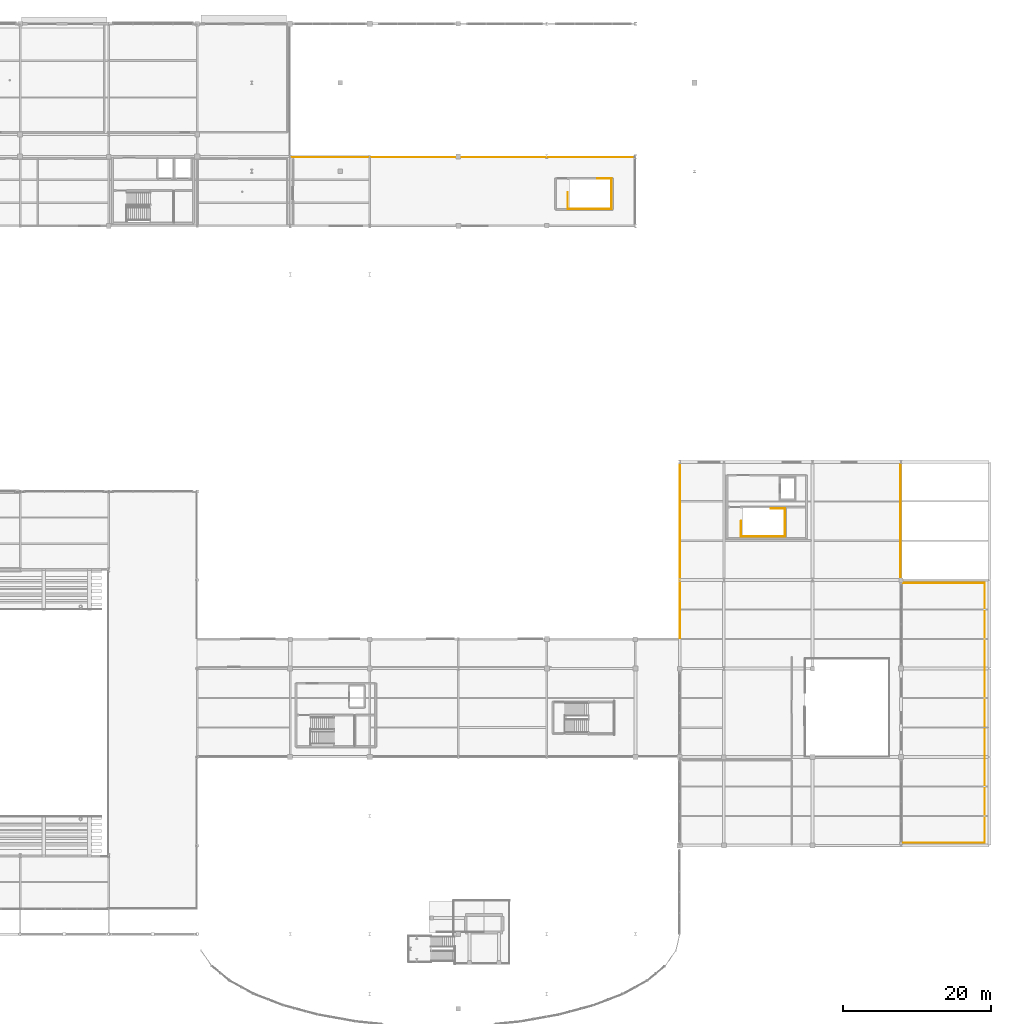
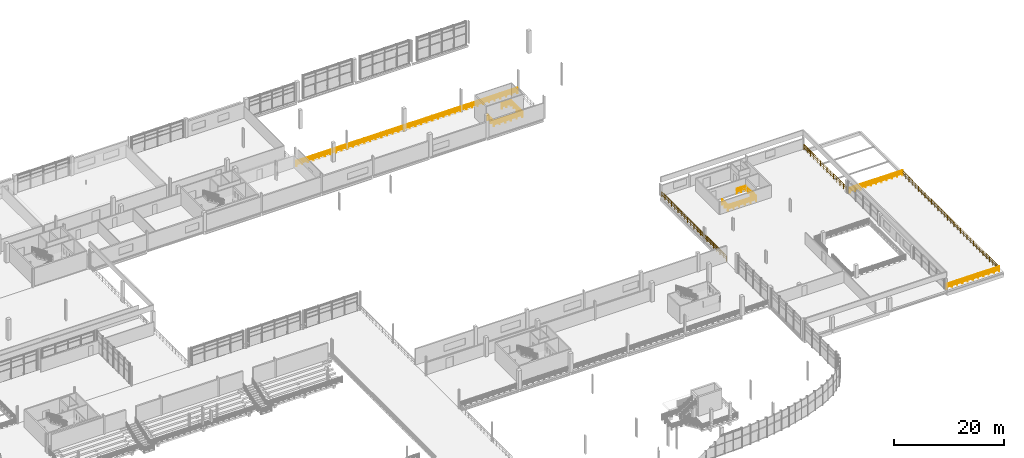
# One storey, part 87 of 89: 14 railings.
"""IFC4 building model written with IfcOpenShell, lengths in metres."""

from ifc_helpers import new_model, si_unit, direction, frame, origin, origin_2d, place, context, subcontext, project, spatial, circle, extrude, material, layer, layer_set, type_object, element, save


model = new_model("IFC4")

# Units and contexts
model_context = context("Model", 3, precision=1e-05, world=origin(), true_north=direction((0.0, 1.0)))
body_context = subcontext(model_context, "Body", "Model", "MODEL_VIEW")
ifc_project = project(units=[si_unit("LENGTHUNIT", "METRE"), si_unit("AREAUNIT", "SQUARE_METRE"), si_unit("VOLUMEUNIT", "CUBIC_METRE"), si_unit("PLANEANGLEUNIT", "RADIAN"), si_unit("MASSUNIT", "GRAM", prefix="KILO"), si_unit("THERMODYNAMICTEMPERATUREUNIT", "KELVIN"), si_unit("POWERUNIT", "WATT")], contexts=[model_context])

# Site, building, storey
site_placement = place(None, origin())
site = spatial("IfcSite", under=ifc_project, at=site_placement, CompositionType="ELEMENT")
building_placement = place(site_placement, origin())
building = spatial("IfcBuilding", under=site, at=building_placement, Name="Solmara Park Aquatics Centre", CompositionType="ELEMENT")
storey_placement = place(building_placement, frame((0.0, 0.0, 5.39990234375)))
storey = spatial("IfcBuildingStorey", under=building, at=storey_placement, Name="L01", CompositionType="ELEMENT", Elevation=5.39990234375)

# Railings
ifc_material_1 = material(Name="Laminated Safety Glass and Stainless Steel Guardrail", Category="steel")
ifc_layer_1 = layer(ifc_material_1, 0.06005859375, Name="Laminated Safety Glass and Stainless Steel Guardrail")
ifc_layer_set_1 = layer_set([ifc_layer_1], Name="Laminated Safety Glass and Stainless Steel Guardrail")
railing_type_1 = type_object("IfcRailingType", Name="ARC-RL-BAL110", PredefinedType="GUARDRAIL", material=ifc_layer_set_1)
railing_1_placement = place(storey_placement, frame((203.35009765625, 25.0, 0.0)))
element("IfcRailing", 1, at=railing_1_placement, inside=storey, type_object=railing_type_1, Name="Cafe Terrace Guardrail RL-TER-L01-E", PredefinedType="GUARDRAIL", context=body_context, shape_type="SweptSolid", body=[
    extrude(circle(Radius=0.02392578125, at=origin_2d()), frame((0.0, 0.0, 1.15576171875), z_axis=(0.0, 1.0, 0.0), x_axis=(-1.0, 0.0, 0.0)), (0.0, 0.0, 1.0), 35.199951171875),
    extrude(circle(Radius=0.01416015625, at=origin_2d()), frame((0.0, 0.0, 0.4130859375), z_axis=(0.0, 1.0, 0.0), x_axis=(-1.0, 0.0, 0.0)), (0.0, 0.0, 1.0), 35.199951171875),
    extrude(circle(Radius=0.01416015625, at=origin_2d()), frame((0.0, 0.0, 0.80224609375), z_axis=(0.0, 1.0, 0.0), x_axis=(-1.0, 0.0, 0.0)), (0.0, 0.0, 1.0), 35.199951171875),
    extrude(circle(Radius=0.02099609375, at=origin_2d()), origin(), (0.0, 0.0, 1.0), 1.1318359375),
    extrude(circle(Radius=0.02099609375, at=origin_2d()), frame((0.0, 1.17333984375, 0.0)), (0.0, 0.0, 1.0), 1.1318359375),
    extrude(circle(Radius=0.02099609375, at=origin_2d()), frame((0.0, 2.3466796875, 0.0)), (0.0, 0.0, 1.0), 1.1318359375),
    extrude(circle(Radius=0.02099609375, at=origin_2d()), frame((0.0, 3.52001953125, 0.0)), (0.0, 0.0, 1.0), 1.1318359375),
    extrude(circle(Radius=0.02099609375, at=origin_2d()), frame((0.0, 4.693359375, 0.0)), (0.0, 0.0, 1.0), 1.1318359375),
    extrude(circle(Radius=0.02099609375, at=origin_2d()), frame((0.0, 5.86669921875, 0.0)), (0.0, 0.0, 1.0), 1.1318359375),
    extrude(circle(Radius=0.02099609375, at=origin_2d()), frame((0.0, 7.0400390625, 0.0)), (0.0, 0.0, 1.0), 1.1318359375),
    extrude(circle(Radius=0.02099609375, at=origin_2d()), frame((0.0, 8.21337890625, 0.0)), (0.0, 0.0, 1.0), 1.1318359375),
    extrude(circle(Radius=0.02099609375, at=origin_2d()), frame((0.0, 9.38671875, 0.0)), (0.0, 0.0, 1.0), 1.1318359375),
    extrude(circle(Radius=0.02099609375, at=origin_2d()), frame((0.0, 10.56005859375, 0.0)), (0.0, 0.0, 1.0), 1.1318359375),
    extrude(circle(Radius=0.02099609375, at=origin_2d()), frame((0.0, 11.7333984375, 0.0)), (0.0, 0.0, 1.0), 1.1318359375),
    extrude(circle(Radius=0.02099609375, at=origin_2d()), frame((0.0, 12.90673828125, 0.0)), (0.0, 0.0, 1.0), 1.1318359375),
    extrude(circle(Radius=0.02099609375, at=origin_2d()), frame((0.0, 14.080078125, 0.0)), (0.0, 0.0, 1.0), 1.1318359375),
    extrude(circle(Radius=0.02099609375, at=origin_2d()), frame((0.0, 15.25341796875, 0.0)), (0.0, 0.0, 1.0), 1.1318359375),
    extrude(circle(Radius=0.02099609375, at=origin_2d()), frame((0.0, 16.4267578125, 0.0)), (0.0, 0.0, 1.0), 1.1318359375),
    extrude(circle(Radius=0.02099609375, at=origin_2d()), frame((0.0, 17.60009765625, 0.0)), (0.0, 0.0, 1.0), 1.1318359375),
    extrude(circle(Radius=0.02099609375, at=origin_2d()), frame((0.0, 18.773193359375, 0.0)), (0.0, 0.0, 1.0), 1.1318359375),
    extrude(circle(Radius=0.02099609375, at=origin_2d()), frame((0.0, 19.946533203125, 0.0)), (0.0, 0.0, 1.0), 1.1318359375),
    extrude(circle(Radius=0.02099609375, at=origin_2d()), frame((0.0, 21.119873046875, 0.0)), (0.0, 0.0, 1.0), 1.1318359375),
    extrude(circle(Radius=0.02099609375, at=origin_2d()), frame((0.0, 22.293212890625, 0.0)), (0.0, 0.0, 1.0), 1.1318359375),
    extrude(circle(Radius=0.02099609375, at=origin_2d()), frame((0.0, 23.466552734375, 0.0)), (0.0, 0.0, 1.0), 1.1318359375),
    extrude(circle(Radius=0.02099609375, at=origin_2d()), frame((0.0, 24.639892578125, 0.0)), (0.0, 0.0, 1.0), 1.1318359375),
    extrude(circle(Radius=0.02099609375, at=origin_2d()), frame((0.0, 25.813232421875, 0.0)), (0.0, 0.0, 1.0), 1.1318359375),
    extrude(circle(Radius=0.02099609375, at=origin_2d()), frame((0.0, 26.986572265625, 0.0)), (0.0, 0.0, 1.0), 1.1318359375),
    extrude(circle(Radius=0.02099609375, at=origin_2d()), frame((0.0, 28.159912109375, 0.0)), (0.0, 0.0, 1.0), 1.1318359375),
    extrude(circle(Radius=0.02099609375, at=origin_2d()), frame((0.0, 29.333251953125, 0.0)), (0.0, 0.0, 1.0), 1.1318359375),
    extrude(circle(Radius=0.02099609375, at=origin_2d()), frame((0.0, 30.506591796875, 0.0)), (0.0, 0.0, 1.0), 1.1318359375),
    extrude(circle(Radius=0.02099609375, at=origin_2d()), frame((0.0, 31.679931640625, 0.0)), (0.0, 0.0, 1.0), 1.1318359375),
    extrude(circle(Radius=0.02099609375, at=origin_2d()), frame((0.0, 32.853271484375, 0.0)), (0.0, 0.0, 1.0), 1.1318359375),
    extrude(circle(Radius=0.02099609375, at=origin_2d()), frame((0.0, 34.026611328125, 0.0)), (0.0, 0.0, 1.0), 1.1318359375),
    extrude(circle(Radius=0.02099609375, at=origin_2d()), frame((0.0, 35.199951171875, 0.0)), (0.0, 0.0, 1.0), 1.1318359375),
])
railing_2_placement = place(storey_placement, frame((192.35009765625, 25.0, 0.0)))
element("IfcRailing", 2, at=railing_2_placement, inside=storey, type_object=railing_type_1, Name="Cafe Terrace Guardrail RL-TER-L01-S", PredefinedType="GUARDRAIL", context=body_context, shape_type="SweptSolid", body=[
    extrude(circle(Radius=0.02392578125, at=origin_2d()), frame((0.0, 0.0, 1.15576171875), z_axis=(1.0, 0.0, 0.0), x_axis=(0.0, 1.0, 0.0)), (0.0, 0.0, 1.0), 11.0),
    extrude(circle(Radius=0.01416015625, at=origin_2d()), frame((0.0, 0.0, 0.4130859375), z_axis=(1.0, 0.0, 0.0), x_axis=(0.0, 1.0, 0.0)), (0.0, 0.0, 1.0), 11.0),
    extrude(circle(Radius=0.01416015625, at=origin_2d()), frame((0.0, 0.0, 0.80224609375), z_axis=(1.0, 0.0, 0.0), x_axis=(0.0, 1.0, 0.0)), (0.0, 0.0, 1.0), 11.0),
    extrude(circle(Radius=0.02099609375, at=origin_2d()), origin(), (0.0, 0.0, 1.0), 1.1318359375),
    extrude(circle(Radius=0.02099609375, at=origin_2d()), frame((1.10009765625, 0.0, 0.0)), (0.0, 0.0, 1.0), 1.1318359375),
    extrude(circle(Radius=0.02099609375, at=origin_2d()), frame((2.199951171875, 0.0, 0.0)), (0.0, 0.0, 1.0), 1.1318359375),
    extrude(circle(Radius=0.02099609375, at=origin_2d()), frame((3.300048828125, 0.0, 0.0)), (0.0, 0.0, 1.0), 1.1318359375),
    extrude(circle(Radius=0.02099609375, at=origin_2d()), frame((4.39990234375, 0.0, 0.0)), (0.0, 0.0, 1.0), 1.1318359375),
    extrude(circle(Radius=0.02099609375, at=origin_2d()), frame((5.5, 0.0, 0.0)), (0.0, 0.0, 1.0), 1.1318359375),
    extrude(circle(Radius=0.02099609375, at=origin_2d()), frame((6.60009765625, 0.0, 0.0)), (0.0, 0.0, 1.0), 1.1318359375),
    extrude(circle(Radius=0.02099609375, at=origin_2d()), frame((7.699951171875, 0.0, 0.0)), (0.0, 0.0, 1.0), 1.1318359375),
    extrude(circle(Radius=0.02099609375, at=origin_2d()), frame((8.800048828125, 0.0, 0.0)), (0.0, 0.0, 1.0), 1.1318359375),
    extrude(circle(Radius=0.02099609375, at=origin_2d()), frame((9.89990234375, 0.0, 0.0)), (0.0, 0.0, 1.0), 1.1318359375),
    extrude(circle(Radius=0.02099609375, at=origin_2d()), frame((11.0, 0.0, 0.0)), (0.0, 0.0, 1.0), 1.1318359375),
])
railing_3_placement = place(storey_placement, frame((192.35009765625, 60.199951171875, 0.0)))
element("IfcRailing", 3, at=railing_3_placement, inside=storey, type_object=railing_type_1, Name="Cafe Terrace Guardrail RL-TER-L01-N", PredefinedType="GUARDRAIL", context=body_context, shape_type="SweptSolid", body=[
    extrude(circle(Radius=0.02392578125, at=origin_2d()), frame((0.0, 0.0, 1.15576171875), z_axis=(1.0, 0.0, 0.0), x_axis=(0.0, 1.0, 0.0)), (0.0, 0.0, 1.0), 11.0),
    extrude(circle(Radius=0.01416015625, at=origin_2d()), frame((0.0, 0.0, 0.4130859375), z_axis=(1.0, 0.0, 0.0), x_axis=(0.0, 1.0, 0.0)), (0.0, 0.0, 1.0), 11.0),
    extrude(circle(Radius=0.01416015625, at=origin_2d()), frame((0.0, 0.0, 0.80224609375), z_axis=(1.0, 0.0, 0.0), x_axis=(0.0, 1.0, 0.0)), (0.0, 0.0, 1.0), 11.0),
    extrude(circle(Radius=0.02099609375, at=origin_2d()), origin(), (0.0, 0.0, 1.0), 1.1318359375),
    extrude(circle(Radius=0.02099609375, at=origin_2d()), frame((1.10009765625, 0.0, 0.0)), (0.0, 0.0, 1.0), 1.1318359375),
    extrude(circle(Radius=0.02099609375, at=origin_2d()), frame((2.199951171875, 0.0, 0.0)), (0.0, 0.0, 1.0), 1.1318359375),
    extrude(circle(Radius=0.02099609375, at=origin_2d()), frame((3.300048828125, 0.0, 0.0)), (0.0, 0.0, 1.0), 1.1318359375),
    extrude(circle(Radius=0.02099609375, at=origin_2d()), frame((4.39990234375, 0.0, 0.0)), (0.0, 0.0, 1.0), 1.1318359375),
    extrude(circle(Radius=0.02099609375, at=origin_2d()), frame((5.5, 0.0, 0.0)), (0.0, 0.0, 1.0), 1.1318359375),
    extrude(circle(Radius=0.02099609375, at=origin_2d()), frame((6.60009765625, 0.0, 0.0)), (0.0, 0.0, 1.0), 1.1318359375),
    extrude(circle(Radius=0.02099609375, at=origin_2d()), frame((7.699951171875, 0.0, 0.0)), (0.0, 0.0, 1.0), 1.1318359375),
    extrude(circle(Radius=0.02099609375, at=origin_2d()), frame((8.800048828125, 0.0, 0.0)), (0.0, 0.0, 1.0), 1.1318359375),
    extrude(circle(Radius=0.02099609375, at=origin_2d()), frame((9.89990234375, 0.0, 0.0)), (0.0, 0.0, 1.0), 1.1318359375),
    extrude(circle(Radius=0.02099609375, at=origin_2d()), frame((11.0, 0.0, 0.0)), (0.0, 0.0, 1.0), 1.1318359375),
])
ifc_material_2 = material(Name="Toughened Glass and Stainless Steel Stand Guardrail", Category="steel")
ifc_layer_2 = layer(ifc_material_2, 0.06005859375, Name="Toughened Glass and Stainless Steel Stand Guardrail")
ifc_layer_set_2 = layer_set([ifc_layer_2], Name="Toughened Glass and Stainless Steel Stand Guardrail")
railing_type_2 = type_object("IfcRailingType", Name="ARC-RL-STD110", PredefinedType="GUARDRAIL", material=ifc_layer_set_2)
railing_4_placement = place(storey_placement, frame((109.39990234375, 117.89990234375, 0.0)))
element("IfcRailing", 4, at=railing_4_placement, inside=storey, type_object=railing_type_2, Name="Atrium & Gallery Void Guardrail 23", PredefinedType="GUARDRAIL", context=body_context, shape_type="SweptSolid", body=[
    extrude(circle(Radius=0.02392578125, at=origin_2d()), frame((0.0, 0.0, 1.15576171875), z_axis=(1.0, 0.0, 0.0), x_axis=(0.0, 1.0, 0.0)), (0.0, 0.0, 1.0), 46.400146484375),
    extrude(circle(Radius=0.01416015625, at=origin_2d()), frame((0.0, 0.0, 0.4130859375), z_axis=(1.0, 0.0, 0.0), x_axis=(0.0, 1.0, 0.0)), (0.0, 0.0, 1.0), 46.400146484375),
    extrude(circle(Radius=0.01416015625, at=origin_2d()), frame((0.0, 0.0, 0.80224609375), z_axis=(1.0, 0.0, 0.0), x_axis=(0.0, 1.0, 0.0)), (0.0, 0.0, 1.0), 46.400146484375),
    extrude(circle(Radius=0.02099609375, at=origin_2d()), origin(), (0.0, 0.0, 1.0), 1.1318359375),
    extrude(circle(Radius=0.02099609375, at=origin_2d()), frame((1.189697265625, 0.0, 0.0)), (0.0, 0.0, 1.0), 1.1318359375),
    extrude(circle(Radius=0.02099609375, at=origin_2d()), frame((2.37939453125, 0.0, 0.0)), (0.0, 0.0, 1.0), 1.1318359375),
    extrude(circle(Radius=0.02099609375, at=origin_2d()), frame((3.5693359375, 0.0, 0.0)), (0.0, 0.0, 1.0), 1.1318359375),
    extrude(circle(Radius=0.02099609375, at=origin_2d()), frame((4.759033203125, 0.0, 0.0)), (0.0, 0.0, 1.0), 1.1318359375),
    extrude(circle(Radius=0.02099609375, at=origin_2d()), frame((5.94873046875, 0.0, 0.0)), (0.0, 0.0, 1.0), 1.1318359375),
    extrude(circle(Radius=0.02099609375, at=origin_2d()), frame((7.138427734375, 0.0, 0.0)), (0.0, 0.0, 1.0), 1.1318359375),
    extrude(circle(Radius=0.02099609375, at=origin_2d()), frame((8.328125, 0.0, 0.0)), (0.0, 0.0, 1.0), 1.1318359375),
    extrude(circle(Radius=0.02099609375, at=origin_2d()), frame((9.51806640625, 0.0, 0.0)), (0.0, 0.0, 1.0), 1.1318359375),
    extrude(circle(Radius=0.02099609375, at=origin_2d()), frame((10.707763671875, 0.0, 0.0)), (0.0, 0.0, 1.0), 1.1318359375),
    extrude(circle(Radius=0.02099609375, at=origin_2d()), frame((11.8974609375, 0.0, 0.0)), (0.0, 0.0, 1.0), 1.1318359375),
    extrude(circle(Radius=0.02099609375, at=origin_2d()), frame((13.087158203125, 0.0, 0.0)), (0.0, 0.0, 1.0), 1.1318359375),
    extrude(circle(Radius=0.02099609375, at=origin_2d()), frame((14.27685546875, 0.0, 0.0)), (0.0, 0.0, 1.0), 1.1318359375),
    extrude(circle(Radius=0.02099609375, at=origin_2d()), frame((15.466796875, 0.0, 0.0)), (0.0, 0.0, 1.0), 1.1318359375),
    extrude(circle(Radius=0.02099609375, at=origin_2d()), frame((16.656494140625, 0.0, 0.0)), (0.0, 0.0, 1.0), 1.1318359375),
    extrude(circle(Radius=0.02099609375, at=origin_2d()), frame((17.84619140625, 0.0, 0.0)), (0.0, 0.0, 1.0), 1.1318359375),
    extrude(circle(Radius=0.02099609375, at=origin_2d()), frame((19.035888671875, 0.0, 0.0)), (0.0, 0.0, 1.0), 1.1318359375),
    extrude(circle(Radius=0.02099609375, at=origin_2d()), frame((20.2255859375, 0.0, 0.0)), (0.0, 0.0, 1.0), 1.1318359375),
    extrude(circle(Radius=0.02099609375, at=origin_2d()), frame((21.41552734375, 0.0, 0.0)), (0.0, 0.0, 1.0), 1.1318359375),
    extrude(circle(Radius=0.02099609375, at=origin_2d()), frame((22.605224609375, 0.0, 0.0)), (0.0, 0.0, 1.0), 1.1318359375),
    extrude(circle(Radius=0.02099609375, at=origin_2d()), frame((23.794921875, 0.0, 0.0)), (0.0, 0.0, 1.0), 1.1318359375),
    extrude(circle(Radius=0.02099609375, at=origin_2d()), frame((24.984619140625, 0.0, 0.0)), (0.0, 0.0, 1.0), 1.1318359375),
    extrude(circle(Radius=0.02099609375, at=origin_2d()), frame((26.174560546875, 0.0, 0.0)), (0.0, 0.0, 1.0), 1.1318359375),
    extrude(circle(Radius=0.02099609375, at=origin_2d()), frame((27.3642578125, 0.0, 0.0)), (0.0, 0.0, 1.0), 1.1318359375),
    extrude(circle(Radius=0.02099609375, at=origin_2d()), frame((28.553955078125, 0.0, 0.0)), (0.0, 0.0, 1.0), 1.1318359375),
    extrude(circle(Radius=0.02099609375, at=origin_2d()), frame((29.74365234375, 0.0, 0.0)), (0.0, 0.0, 1.0), 1.1318359375),
    extrude(circle(Radius=0.02099609375, at=origin_2d()), frame((30.933349609375, 0.0, 0.0)), (0.0, 0.0, 1.0), 1.1318359375),
    extrude(circle(Radius=0.02099609375, at=origin_2d()), frame((32.123291015625, 0.0, 0.0)), (0.0, 0.0, 1.0), 1.1318359375),
    extrude(circle(Radius=0.02099609375, at=origin_2d()), frame((33.31298828125, 0.0, 0.0)), (0.0, 0.0, 1.0), 1.1318359375),
    extrude(circle(Radius=0.02099609375, at=origin_2d()), frame((34.502685546875, 0.0, 0.0)), (0.0, 0.0, 1.0), 1.1318359375),
    extrude(circle(Radius=0.02099609375, at=origin_2d()), frame((35.6923828125, 0.0, 0.0)), (0.0, 0.0, 1.0), 1.1318359375),
    extrude(circle(Radius=0.02099609375, at=origin_2d()), frame((36.882080078125, 0.0, 0.0)), (0.0, 0.0, 1.0), 1.1318359375),
    extrude(circle(Radius=0.02099609375, at=origin_2d()), frame((38.072021484375, 0.0, 0.0)), (0.0, 0.0, 1.0), 1.1318359375),
    extrude(circle(Radius=0.02099609375, at=origin_2d()), frame((39.26171875, 0.0, 0.0)), (0.0, 0.0, 1.0), 1.1318359375),
    extrude(circle(Radius=0.02099609375, at=origin_2d()), frame((40.451416015625, 0.0, 0.0)), (0.0, 0.0, 1.0), 1.1318359375),
    extrude(circle(Radius=0.02099609375, at=origin_2d()), frame((41.64111328125, 0.0, 0.0)), (0.0, 0.0, 1.0), 1.1318359375),
    extrude(circle(Radius=0.02099609375, at=origin_2d()), frame((42.830810546875, 0.0, 0.0)), (0.0, 0.0, 1.0), 1.1318359375),
    extrude(circle(Radius=0.02099609375, at=origin_2d()), frame((44.020751953125, 0.0, 0.0)), (0.0, 0.0, 1.0), 1.1318359375),
    extrude(circle(Radius=0.02099609375, at=origin_2d()), frame((45.21044921875, 0.0, 0.0)), (0.0, 0.0, 1.0), 1.1318359375),
    extrude(circle(Radius=0.02099609375, at=origin_2d()), frame((46.400146484375, 0.0, 0.0)), (0.0, 0.0, 1.0), 1.1318359375),
])
railing_5_placement = place(storey_placement, frame((162.06005859375, 52.726318359375, 0.0)))
element("IfcRailing", 5, at=railing_5_placement, inside=storey, type_object=railing_type_2, Name="L01 Slab Edge Guardrail 049", PredefinedType="GUARDRAIL", context=body_context, shape_type="SweptSolid", body=[
    extrude(circle(Radius=0.02392578125, at=origin_2d()), frame((0.0, 0.0, 1.15576171875), z_axis=(0.0, 1.0, 0.0), x_axis=(-1.0, 0.0, 0.0)), (0.0, 0.0, 1.0), 23.523681640625),
    extrude(circle(Radius=0.01416015625, at=origin_2d()), frame((0.0, 0.0, 0.4130859375), z_axis=(0.0, 1.0, 0.0), x_axis=(-1.0, 0.0, 0.0)), (0.0, 0.0, 1.0), 23.523681640625),
    extrude(circle(Radius=0.01416015625, at=origin_2d()), frame((0.0, 0.0, 0.80224609375), z_axis=(0.0, 1.0, 0.0), x_axis=(-1.0, 0.0, 0.0)), (0.0, 0.0, 1.0), 23.523681640625),
    extrude(circle(Radius=0.02099609375, at=origin_2d()), origin(), (0.0, 0.0, 1.0), 1.1318359375),
    extrude(circle(Radius=0.02099609375, at=origin_2d()), frame((0.0, 1.17626953125, 0.0)), (0.0, 0.0, 1.0), 1.1318359375),
    extrude(circle(Radius=0.02099609375, at=origin_2d()), frame((0.0, 2.352294921875, 0.0)), (0.0, 0.0, 1.0), 1.1318359375),
    extrude(circle(Radius=0.02099609375, at=origin_2d()), frame((0.0, 3.528564453125, 0.0)), (0.0, 0.0, 1.0), 1.1318359375),
    extrude(circle(Radius=0.02099609375, at=origin_2d()), frame((0.0, 4.704833984375, 0.0)), (0.0, 0.0, 1.0), 1.1318359375),
    extrude(circle(Radius=0.02099609375, at=origin_2d()), frame((0.0, 5.880859375, 0.0)), (0.0, 0.0, 1.0), 1.1318359375),
    extrude(circle(Radius=0.02099609375, at=origin_2d()), frame((0.0, 7.05712890625, 0.0)), (0.0, 0.0, 1.0), 1.1318359375),
    extrude(circle(Radius=0.02099609375, at=origin_2d()), frame((0.0, 8.2333984375, 0.0)), (0.0, 0.0, 1.0), 1.1318359375),
    extrude(circle(Radius=0.02099609375, at=origin_2d()), frame((0.0, 9.409423828125, 0.0)), (0.0, 0.0, 1.0), 1.1318359375),
    extrude(circle(Radius=0.02099609375, at=origin_2d()), frame((0.0, 10.585693359375, 0.0)), (0.0, 0.0, 1.0), 1.1318359375),
    extrude(circle(Radius=0.02099609375, at=origin_2d()), frame((0.0, 11.76171875, 0.0)), (0.0, 0.0, 1.0), 1.1318359375),
    extrude(circle(Radius=0.02099609375, at=origin_2d()), frame((0.0, 12.93798828125, 0.0)), (0.0, 0.0, 1.0), 1.1318359375),
    extrude(circle(Radius=0.02099609375, at=origin_2d()), frame((0.0, 14.1142578125, 0.0)), (0.0, 0.0, 1.0), 1.1318359375),
    extrude(circle(Radius=0.02099609375, at=origin_2d()), frame((0.0, 15.290283203125, 0.0)), (0.0, 0.0, 1.0), 1.1318359375),
    extrude(circle(Radius=0.02099609375, at=origin_2d()), frame((0.0, 16.466552734375, 0.0)), (0.0, 0.0, 1.0), 1.1318359375),
    extrude(circle(Radius=0.02099609375, at=origin_2d()), frame((0.0, 17.642822265625, 0.0)), (0.0, 0.0, 1.0), 1.1318359375),
    extrude(circle(Radius=0.02099609375, at=origin_2d()), frame((0.0, 18.81884765625, 0.0)), (0.0, 0.0, 1.0), 1.1318359375),
    extrude(circle(Radius=0.02099609375, at=origin_2d()), frame((0.0, 19.9951171875, 0.0)), (0.0, 0.0, 1.0), 1.1318359375),
    extrude(circle(Radius=0.02099609375, at=origin_2d()), frame((0.0, 21.17138671875, 0.0)), (0.0, 0.0, 1.0), 1.1318359375),
    extrude(circle(Radius=0.02099609375, at=origin_2d()), frame((0.0, 22.347412109375, 0.0)), (0.0, 0.0, 1.0), 1.1318359375),
    extrude(circle(Radius=0.02099609375, at=origin_2d()), frame((0.0, 23.523681640625, 0.0)), (0.0, 0.0, 1.0), 1.1318359375),
])
railing_6_placement = place(storey_placement, frame((191.93994140625, 76.25, 0.0)))
element("IfcRailing", 6, at=railing_6_placement, inside=storey, type_object=railing_type_2, Name="L01 Slab Edge Guardrail 050", PredefinedType="GUARDRAIL", context=body_context, shape_type="SweptSolid", body=[
    extrude(circle(Radius=0.02392578125, at=origin_2d()), frame((0.0, 0.0, 1.15576171875), z_axis=(0.0, -1.0, 0.0), x_axis=(1.0, 0.0, 0.0)), (0.0, 0.0, 1.0), 15.523681640625),
    extrude(circle(Radius=0.01416015625, at=origin_2d()), frame((0.0, 0.0, 0.4130859375), z_axis=(0.0, -1.0, 0.0), x_axis=(1.0, 0.0, 0.0)), (0.0, 0.0, 1.0), 15.523681640625),
    extrude(circle(Radius=0.01416015625, at=origin_2d()), frame((0.0, 0.0, 0.80224609375), z_axis=(0.0, -1.0, 0.0), x_axis=(1.0, 0.0, 0.0)), (0.0, 0.0, 1.0), 15.523681640625),
    extrude(circle(Radius=0.02099609375, at=origin_2d()), origin(), (0.0, 0.0, 1.0), 1.1318359375),
    extrude(circle(Radius=0.02099609375, at=origin_2d()), frame((0.0, -1.194091796875, 0.0)), (0.0, 0.0, 1.0), 1.1318359375),
    extrude(circle(Radius=0.02099609375, at=origin_2d()), frame((0.0, -2.38818359375, 0.0)), (0.0, 0.0, 1.0), 1.1318359375),
    extrude(circle(Radius=0.02099609375, at=origin_2d()), frame((0.0, -3.582275390625, 0.0)), (0.0, 0.0, 1.0), 1.1318359375),
    extrude(circle(Radius=0.02099609375, at=origin_2d()), frame((0.0, -4.776611328125, 0.0)), (0.0, 0.0, 1.0), 1.1318359375),
    extrude(circle(Radius=0.02099609375, at=origin_2d()), frame((0.0, -5.970703125, 0.0)), (0.0, 0.0, 1.0), 1.1318359375),
    extrude(circle(Radius=0.02099609375, at=origin_2d()), frame((0.0, -7.164794921875, 0.0)), (0.0, 0.0, 1.0), 1.1318359375),
    extrude(circle(Radius=0.02099609375, at=origin_2d()), frame((0.0, -8.35888671875, 0.0)), (0.0, 0.0, 1.0), 1.1318359375),
    extrude(circle(Radius=0.02099609375, at=origin_2d()), frame((0.0, -9.552978515625, 0.0)), (0.0, 0.0, 1.0), 1.1318359375),
    extrude(circle(Radius=0.02099609375, at=origin_2d()), frame((0.0, -10.7470703125, 0.0)), (0.0, 0.0, 1.0), 1.1318359375),
    extrude(circle(Radius=0.02099609375, at=origin_2d()), frame((0.0, -11.94140625, 0.0)), (0.0, 0.0, 1.0), 1.1318359375),
    extrude(circle(Radius=0.02099609375, at=origin_2d()), frame((0.0, -13.135498046875, 0.0)), (0.0, 0.0, 1.0), 1.1318359375),
    extrude(circle(Radius=0.02099609375, at=origin_2d()), frame((0.0, -14.32958984375, 0.0)), (0.0, 0.0, 1.0), 1.1318359375),
    extrude(circle(Radius=0.02099609375, at=origin_2d()), frame((0.0, -15.523681640625, 0.0)), (0.0, 0.0, 1.0), 1.1318359375),
])
ifc_material_3 = material(Name="Brushed Stainless Steel Guardrail", Category="steel")
ifc_layer_3 = layer(ifc_material_3, 0.050048828125, Name="Brushed Stainless Steel Guardrail")
ifc_layer_set_3 = layer_set([ifc_layer_3], Name="Brushed Stainless Steel Guardrail")
railing_type_3 = type_object("IfcRailingType", Name="ARC-RL-STR110", PredefinedType="GUARDRAIL", material=ifc_layer_set_3)
railing_7_placement = place(storey_placement, frame((170.330078125, 66.469970703125, 0.0)))
element("IfcRailing", 7, at=railing_7_placement, inside=storey, type_object=railing_type_3, Name="ST-05 Protected Exit Stair (L00 to L01) Arrival Well Guardrail", PredefinedType="GUARDRAIL", context=body_context, shape_type="SweptSolid", body=[
    extrude(circle(Radius=0.02392578125, at=origin_2d()), frame((0.0, 0.0, 1.15576171875), z_axis=(0.0, 1.0, 0.0), x_axis=(-1.0, 0.0, 0.0)), (0.0, 0.0, 1.0), 2.1201171875),
    extrude(circle(Radius=0.01416015625, at=origin_2d()), frame((0.0, 0.0, 0.4130859375), z_axis=(0.0, 1.0, 0.0), x_axis=(-1.0, 0.0, 0.0)), (0.0, 0.0, 1.0), 2.1201171875),
    extrude(circle(Radius=0.01416015625, at=origin_2d()), frame((0.0, 0.0, 0.80224609375), z_axis=(0.0, 1.0, 0.0), x_axis=(-1.0, 0.0, 0.0)), (0.0, 0.0, 1.0), 2.1201171875),
    extrude(circle(Radius=0.02099609375, at=origin_2d()), origin(), (0.0, 0.0, 1.0), 1.1318359375),
    extrude(circle(Radius=0.02099609375, at=origin_2d()), frame((0.0, 1.06005859375, 0.0)), (0.0, 0.0, 1.0), 1.1318359375),
    extrude(circle(Radius=0.02099609375, at=origin_2d()), frame((0.0, 2.1201171875, 0.0)), (0.0, 0.0, 1.0), 1.1318359375),
])
railing_8_placement = place(storey_placement, frame((176.280029296875, 66.469970703125, 0.0)))
element("IfcRailing", 8, at=railing_8_placement, inside=storey, type_object=railing_type_3, Name="ST-05 Protected Exit Stair (L00 to L01) Far Well Edge Guardrail", PredefinedType="GUARDRAIL", context=body_context, shape_type="SweptSolid", body=[
    extrude(circle(Radius=0.02392578125, at=origin_2d()), frame((0.0, 0.0, 1.15576171875), z_axis=(0.0, 1.0, 0.0), x_axis=(-1.0, 0.0, 0.0)), (0.0, 0.0, 1.0), 3.860107421875),
    extrude(circle(Radius=0.01416015625, at=origin_2d()), frame((0.0, 0.0, 0.4130859375), z_axis=(0.0, 1.0, 0.0), x_axis=(-1.0, 0.0, 0.0)), (0.0, 0.0, 1.0), 3.860107421875),
    extrude(circle(Radius=0.01416015625, at=origin_2d()), frame((0.0, 0.0, 0.80224609375), z_axis=(0.0, 1.0, 0.0), x_axis=(-1.0, 0.0, 0.0)), (0.0, 0.0, 1.0), 3.860107421875),
    extrude(circle(Radius=0.02099609375, at=origin_2d()), origin(), (0.0, 0.0, 1.0), 1.1318359375),
    extrude(circle(Radius=0.02099609375, at=origin_2d()), frame((0.0, 0.965087890625, 0.0)), (0.0, 0.0, 1.0), 1.1318359375),
    extrude(circle(Radius=0.02099609375, at=origin_2d()), frame((0.0, 1.93017578125, 0.0)), (0.0, 0.0, 1.0), 1.1318359375),
    extrude(circle(Radius=0.02099609375, at=origin_2d()), frame((0.0, 2.89501953125, 0.0)), (0.0, 0.0, 1.0), 1.1318359375),
    extrude(circle(Radius=0.02099609375, at=origin_2d()), frame((0.0, 3.860107421875, 0.0)), (0.0, 0.0, 1.0), 1.1318359375),
])
railing_9_placement = place(storey_placement, frame((170.330078125, 66.47998046875, 0.0)))
element("IfcRailing", 9, at=railing_9_placement, inside=storey, type_object=railing_type_3, Name="ST-05 Protected Exit Stair (L00 to L01) Top Well South Guardrail", PredefinedType="GUARDRAIL", context=body_context, shape_type="SweptSolid", body=[
    extrude(circle(Radius=0.02392578125, at=origin_2d()), frame((0.0, 0.0, 1.15576171875), z_axis=(1.0, 0.0, 0.0), x_axis=(0.0, 1.0, 0.0)), (0.0, 0.0, 1.0), 5.949951171875),
    extrude(circle(Radius=0.01416015625, at=origin_2d()), frame((0.0, 0.0, 0.4130859375), z_axis=(1.0, 0.0, 0.0), x_axis=(0.0, 1.0, 0.0)), (0.0, 0.0, 1.0), 5.949951171875),
    extrude(circle(Radius=0.01416015625, at=origin_2d()), frame((0.0, 0.0, 0.80224609375), z_axis=(1.0, 0.0, 0.0), x_axis=(0.0, 1.0, 0.0)), (0.0, 0.0, 1.0), 5.949951171875),
    extrude(circle(Radius=0.02099609375, at=origin_2d()), origin(), (0.0, 0.0, 1.0), 1.1318359375),
    extrude(circle(Radius=0.02099609375, at=origin_2d()), frame((1.18994140625, 0.0, 0.0)), (0.0, 0.0, 1.0), 1.1318359375),
    extrude(circle(Radius=0.02099609375, at=origin_2d()), frame((2.3798828125, 0.0, 0.0)), (0.0, 0.0, 1.0), 1.1318359375),
    extrude(circle(Radius=0.02099609375, at=origin_2d()), frame((3.570068359375, 0.0, 0.0)), (0.0, 0.0, 1.0), 1.1318359375),
    extrude(circle(Radius=0.02099609375, at=origin_2d()), frame((4.760009765625, 0.0, 0.0)), (0.0, 0.0, 1.0), 1.1318359375),
    extrude(circle(Radius=0.02099609375, at=origin_2d()), frame((5.949951171875, 0.0, 0.0)), (0.0, 0.0, 1.0), 1.1318359375),
])
railing_10_placement = place(storey_placement, frame((174.364990234375, 70.320068359375, 0.0)))
element("IfcRailing", 10, at=railing_10_placement, inside=storey, type_object=railing_type_3, Name="ST-05 Protected Exit Stair (L00 to L01) Top Well North Guardrail", PredefinedType="GUARDRAIL", context=body_context, shape_type="SweptSolid", body=[
    extrude(circle(Radius=0.02392578125, at=origin_2d()), frame((0.0, 0.0, 1.15576171875), z_axis=(1.0, 0.0, 0.0), x_axis=(0.0, 1.0, 0.0)), (0.0, 0.0, 1.0), 1.9150390625),
    extrude(circle(Radius=0.01416015625, at=origin_2d()), frame((0.0, 0.0, 0.4130859375), z_axis=(1.0, 0.0, 0.0), x_axis=(0.0, 1.0, 0.0)), (0.0, 0.0, 1.0), 1.9150390625),
    extrude(circle(Radius=0.01416015625, at=origin_2d()), frame((0.0, 0.0, 0.80224609375), z_axis=(1.0, 0.0, 0.0), x_axis=(0.0, 1.0, 0.0)), (0.0, 0.0, 1.0), 1.9150390625),
    extrude(circle(Radius=0.02099609375, at=origin_2d()), origin(), (0.0, 0.0, 1.0), 1.1318359375),
    extrude(circle(Radius=0.02099609375, at=origin_2d()), frame((0.95751953125, 0.0, 0.0)), (0.0, 0.0, 1.0), 1.1318359375),
    extrude(circle(Radius=0.02099609375, at=origin_2d()), frame((1.9150390625, 0.0, 0.0)), (0.0, 0.0, 1.0), 1.1318359375),
])
railing_11_placement = place(storey_placement, frame((146.830078125, 110.8701171875, 0.0)))
element("IfcRailing", 11, at=railing_11_placement, inside=storey, type_object=railing_type_3, Name="East Wellness Escape Stair ST-07 (L00-L01) Arrival Well Guardrail", PredefinedType="GUARDRAIL", context=body_context, shape_type="SweptSolid", body=[
    extrude(circle(Radius=0.02392578125, at=origin_2d()), frame((0.0, 0.0, 1.15576171875), z_axis=(0.0, 1.0, 0.0), x_axis=(-1.0, 0.0, 0.0)), (0.0, 0.0, 1.0), 2.2998046875),
    extrude(circle(Radius=0.01416015625, at=origin_2d()), frame((0.0, 0.0, 0.4130859375), z_axis=(0.0, 1.0, 0.0), x_axis=(-1.0, 0.0, 0.0)), (0.0, 0.0, 1.0), 2.2998046875),
    extrude(circle(Radius=0.01416015625, at=origin_2d()), frame((0.0, 0.0, 0.80224609375), z_axis=(0.0, 1.0, 0.0), x_axis=(-1.0, 0.0, 0.0)), (0.0, 0.0, 1.0), 2.2998046875),
    extrude(circle(Radius=0.02099609375, at=origin_2d()), origin(), (0.0, 0.0, 1.0), 1.1318359375),
    extrude(circle(Radius=0.02099609375, at=origin_2d()), frame((0.0, 1.14990234375, 0.0)), (0.0, 0.0, 1.0), 1.1318359375),
    extrude(circle(Radius=0.02099609375, at=origin_2d()), frame((0.0, 2.2998046875, 0.0)), (0.0, 0.0, 1.0), 1.1318359375),
])
railing_12_placement = place(storey_placement, frame((152.780029296875, 110.8701171875, 0.0)))
element("IfcRailing", 12, at=railing_12_placement, inside=storey, type_object=railing_type_3, Name="East Wellness Escape Stair ST-07 (L00-L01) Far Well Edge Guardrail", PredefinedType="GUARDRAIL", context=body_context, shape_type="SweptSolid", body=[
    extrude(circle(Radius=0.02392578125, at=origin_2d()), frame((0.0, 0.0, 1.15576171875), z_axis=(0.0, 1.0, 0.0), x_axis=(-1.0, 0.0, 0.0)), (0.0, 0.0, 1.0), 4.159912109375),
    extrude(circle(Radius=0.01416015625, at=origin_2d()), frame((0.0, 0.0, 0.4130859375), z_axis=(0.0, 1.0, 0.0), x_axis=(-1.0, 0.0, 0.0)), (0.0, 0.0, 1.0), 4.159912109375),
    extrude(circle(Radius=0.01416015625, at=origin_2d()), frame((0.0, 0.0, 0.80224609375), z_axis=(0.0, 1.0, 0.0), x_axis=(-1.0, 0.0, 0.0)), (0.0, 0.0, 1.0), 4.159912109375),
    extrude(circle(Radius=0.02099609375, at=origin_2d()), origin(), (0.0, 0.0, 1.0), 1.1318359375),
    extrude(circle(Radius=0.02099609375, at=origin_2d()), frame((0.0, 1.0400390625, 0.0)), (0.0, 0.0, 1.0), 1.1318359375),
    extrude(circle(Radius=0.02099609375, at=origin_2d()), frame((0.0, 2.080078125, 0.0)), (0.0, 0.0, 1.0), 1.1318359375),
    extrude(circle(Radius=0.02099609375, at=origin_2d()), frame((0.0, 3.119873046875, 0.0)), (0.0, 0.0, 1.0), 1.1318359375),
    extrude(circle(Radius=0.02099609375, at=origin_2d()), frame((0.0, 4.159912109375, 0.0)), (0.0, 0.0, 1.0), 1.1318359375),
])
railing_13_placement = place(storey_placement, frame((146.830078125, 110.8798828125, 0.0)))
element("IfcRailing", 13, at=railing_13_placement, inside=storey, type_object=railing_type_3, Name="East Wellness Escape Stair ST-07 (L00-L01) Top Well South Guardrail", PredefinedType="GUARDRAIL", context=body_context, shape_type="SweptSolid", body=[
    extrude(circle(Radius=0.02392578125, at=origin_2d()), frame((0.0, 0.0, 1.15576171875), z_axis=(1.0, 0.0, 0.0), x_axis=(0.0, 1.0, 0.0)), (0.0, 0.0, 1.0), 5.949951171875),
    extrude(circle(Radius=0.01416015625, at=origin_2d()), frame((0.0, 0.0, 0.4130859375), z_axis=(1.0, 0.0, 0.0), x_axis=(0.0, 1.0, 0.0)), (0.0, 0.0, 1.0), 5.949951171875),
    extrude(circle(Radius=0.01416015625, at=origin_2d()), frame((0.0, 0.0, 0.80224609375), z_axis=(1.0, 0.0, 0.0), x_axis=(0.0, 1.0, 0.0)), (0.0, 0.0, 1.0), 5.949951171875),
    extrude(circle(Radius=0.02099609375, at=origin_2d()), origin(), (0.0, 0.0, 1.0), 1.1318359375),
    extrude(circle(Radius=0.02099609375, at=origin_2d()), frame((1.18994140625, 0.0, 0.0)), (0.0, 0.0, 1.0), 1.1318359375),
    extrude(circle(Radius=0.02099609375, at=origin_2d()), frame((2.3798828125, 0.0, 0.0)), (0.0, 0.0, 1.0), 1.1318359375),
    extrude(circle(Radius=0.02099609375, at=origin_2d()), frame((3.570068359375, 0.0, 0.0)), (0.0, 0.0, 1.0), 1.1318359375),
    extrude(circle(Radius=0.02099609375, at=origin_2d()), frame((4.760009765625, 0.0, 0.0)), (0.0, 0.0, 1.0), 1.1318359375),
    extrude(circle(Radius=0.02099609375, at=origin_2d()), frame((5.949951171875, 0.0, 0.0)), (0.0, 0.0, 1.0), 1.1318359375),
])
railing_14_placement = place(storey_placement, frame((150.864990234375, 115.02001953125, 0.0)))
element("IfcRailing", 14, at=railing_14_placement, inside=storey, type_object=railing_type_3, Name="East Wellness Escape Stair ST-07 (L00-L01) Top Well North Guardrail", PredefinedType="GUARDRAIL", context=body_context, shape_type="SweptSolid", body=[
    extrude(circle(Radius=0.02392578125, at=origin_2d()), frame((0.0, 0.0, 1.15576171875), z_axis=(1.0, 0.0, 0.0), x_axis=(0.0, 1.0, 0.0)), (0.0, 0.0, 1.0), 1.9150390625),
    extrude(circle(Radius=0.01416015625, at=origin_2d()), frame((0.0, 0.0, 0.4130859375), z_axis=(1.0, 0.0, 0.0), x_axis=(0.0, 1.0, 0.0)), (0.0, 0.0, 1.0), 1.9150390625),
    extrude(circle(Radius=0.01416015625, at=origin_2d()), frame((0.0, 0.0, 0.80224609375), z_axis=(1.0, 0.0, 0.0), x_axis=(0.0, 1.0, 0.0)), (0.0, 0.0, 1.0), 1.9150390625),
    extrude(circle(Radius=0.02099609375, at=origin_2d()), origin(), (0.0, 0.0, 1.0), 1.1318359375),
    extrude(circle(Radius=0.02099609375, at=origin_2d()), frame((0.95751953125, 0.0, 0.0)), (0.0, 0.0, 1.0), 1.1318359375),
    extrude(circle(Radius=0.02099609375, at=origin_2d()), frame((1.9150390625, 0.0, 0.0)), (0.0, 0.0, 1.0), 1.1318359375),
])

save(model, "model.ifc")
